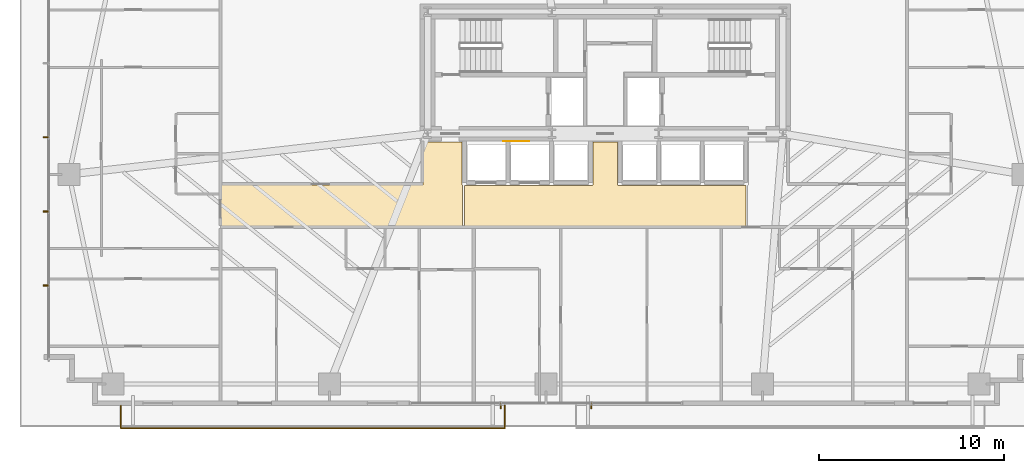
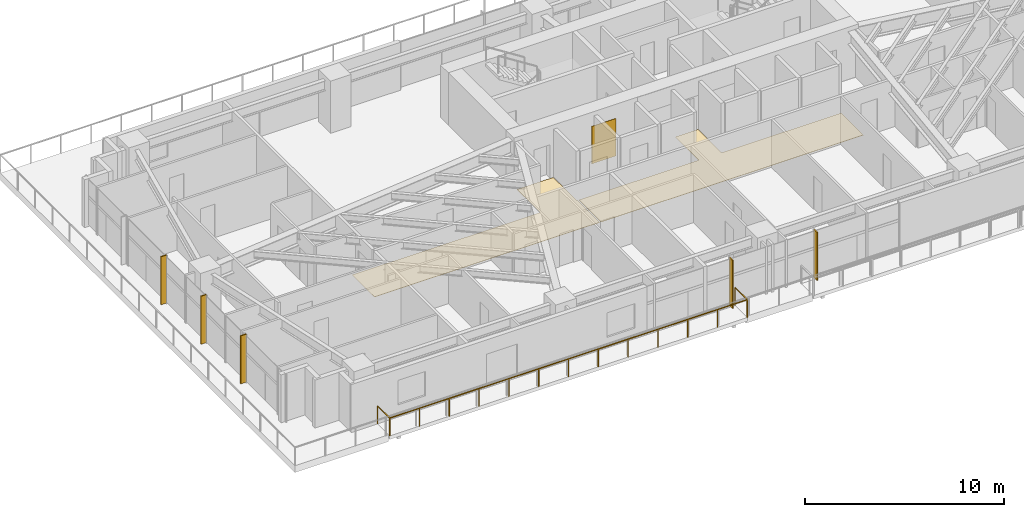
# One storey, part 23 of 26: 5 shading devices, 3 coverings, 1 railing.
"""IFC4 building model written with IfcOpenShell, lengths in metres."""

from ifc_helpers import new_model, si_unit, direction, frame, origin, origin_2d, place, context, subcontext, project, spatial, polyline, rectangle, outline, extrude, source, transform, mapped, material, layer, layer_set, type_object, type_shapes, element, save


model = new_model("IFC4")

# Units and contexts
model_context = context("Model", 3, precision=1e-05, world=origin(), true_north=direction((0.0, 1.0)))
body_context = subcontext(model_context, "Body", "Model", "MODEL_VIEW")
ifc_project = project(units=[si_unit("LENGTHUNIT", "METRE"), si_unit("AREAUNIT", "SQUARE_METRE"), si_unit("VOLUMEUNIT", "CUBIC_METRE"), si_unit("PLANEANGLEUNIT", "RADIAN"), si_unit("MASSUNIT", "GRAM", prefix="KILO")], contexts=[model_context])

# Site, building, storey
site_placement = place(None, origin())
site = spatial("IfcSite", under=ifc_project, at=site_placement, CompositionType="ELEMENT")
building_placement = place(site_placement, origin())
building = spatial("IfcBuilding", under=site, at=building_placement, Name="Astriad Promenade Condominiums", CompositionType="ELEMENT")
storey_placement = place(building_placement, frame((0.0, 0.0, 23.0)))
storey = spatial("IfcBuildingStorey", under=building, at=storey_placement, Name="L05", CompositionType="ELEMENT", Elevation=23.0)

# Coverings
ifc_material_1 = material(Name="Polished Lakefront Terrazzo Flooring")
ifc_layer_1 = layer(ifc_material_1, 0.02001953125)
ifc_layer_set_1 = layer_set([ifc_layer_1], Name="Polished Lakefront Terrazzo Flooring")
covering_type_1 = type_object("IfcCoveringType", Name="COV-FLOR-TERRAZZO-20", PredefinedType="FLOORING", material=ifc_layer_set_1)
covering_1_placement = place(storey_placement, origin())
element("IfcCovering", 1, at=covering_1_placement, inside=storey, type_object=covering_type_1, Name="FLR-L05-LLB", PredefinedType="FLOORING", context=body_context, shape_type="SweptSolid", body=[
    extrude(outline(polyline([(43.610107421875, 14.610107421875), (43.610107421875, 12.389892578125), (28.389892578125, 12.389892578125), (28.389892578125, 14.610107421875), (35.300048828125, 14.610107421875), (35.303955078125, 14.610107421875), (35.307861328125, 14.61083984375), (35.3115234375, 14.61181640625), (35.315185546875, 14.613037109375), (35.31884765625, 14.61474609375), (35.322265625, 14.61669921875), (35.325439453125, 14.619140625), (35.328369140625, 14.62158203125), (35.330810546875, 14.62451171875), (35.333251953125, 14.627685546875), (35.335205078125, 14.631103515625), (35.3369140625, 14.634765625), (35.33837890625, 14.638427734375), (35.339111328125, 14.64208984375), (35.33984375, 14.64599609375), (35.340087890625, 14.64990234375), (35.340087890625, 16.9599609375), (36.659912109375, 16.9599609375), (36.659912109375, 14.64990234375), (36.66015625, 14.64599609375), (36.660888671875, 14.64208984375), (36.66162109375, 14.638427734375), (36.6630859375, 14.634765625), (36.664794921875, 14.631103515625), (36.666748046875, 14.627685546875), (36.669189453125, 14.62451171875), (36.671630859375, 14.62158203125), (36.674560546875, 14.619140625), (36.677734375, 14.61669921875), (36.68115234375, 14.61474609375), (36.684814453125, 14.613037109375), (36.6884765625, 14.61181640625), (36.692138671875, 14.61083984375), (36.696044921875, 14.610107421875), (36.699951171875, 14.610107421875), (43.610107421875, 14.610107421875)])), origin(), (0.0, 0.0, 1.0), 0.02001953125),
])
covering_2_placement = place(storey_placement, origin())
element("IfcCovering", 2, at=covering_2_placement, inside=storey, type_object=covering_type_1, Name="FLR-L05-COR-2", PredefinedType="FLOORING", context=body_context, shape_type="SweptSolid", body=[
    extrude(outline(polyline([(28.300048828125, 12.389892578125), (15.239990234375, 12.389892578125), (15.239990234375, 14.6201171875), (26.1201171875, 14.6201171875), (26.123779296875, 14.6201171875), (26.127685546875, 14.620849609375), (26.131591796875, 14.62158203125), (26.13525390625, 14.623046875), (26.138916015625, 14.624755859375), (26.14208984375, 14.626708984375), (26.1455078125, 14.629150390625), (26.148193359375, 14.631591796875), (26.15087890625, 14.634521484375), (26.1533203125, 14.6376953125), (26.1552734375, 14.64111328125), (26.156982421875, 14.644775390625), (26.158203125, 14.6484375), (26.1591796875, 14.652099609375), (26.159912109375, 14.656005859375), (26.159912109375, 14.659912109375), (26.159912109375, 16.9599609375), (28.260009765625, 16.9599609375), (28.260009765625, 14.64990234375), (28.26025390625, 14.64599609375), (28.2607421875, 14.64208984375), (28.26171875, 14.638427734375), (28.262939453125, 14.634765625), (28.2646484375, 14.631103515625), (28.2666015625, 14.627685546875), (28.26904296875, 14.62451171875), (28.271728515625, 14.62158203125), (28.274658203125, 14.619140625), (28.27783203125, 14.61669921875), (28.281005859375, 14.61474609375), (28.28466796875, 14.613037109375), (28.288330078125, 14.61181640625), (28.292236328125, 14.61083984375), (28.296142578125, 14.610107421875), (28.300048828125, 14.610107421875), (28.300048828125, 12.389892578125)])), origin(), (0.0, 0.0, 1.0), 0.02001953125),
])

# Shading devices
ifc_material_2 = material(Name="Anodised aluminium 6063-T6 Black Fin", Category="aluminium")
shading_device_type = type_object("IfcShadingDeviceType", Name="FIN-BLACK-320", PredefinedType="USERDEFINED", material=ifc_material_2)
shared_shape_1 = source(origin(), body_context, "Body", "SweptSolid", [
    extrude(rectangle(XDim=0.06494140625, YDim=0.320068359375, at=origin_2d()), origin(), (0.0, 0.0, 1.0), 2.93994140625),
])
type_shapes(shading_device_type, [shared_shape_1])
for number, where, z_axis, x_axis, name in (
    (3, (5.7900390625, 9.199951171875, 0.0), (0.0, 0.0, 1.0), (0.0, 1.0, 0.0), "CW-L05-W-FIN-01"),
    (4, (5.7900390625, 13.199951171875, 0.0), (0.0, 0.0, 1.0), (0.0, 1.0, 0.0), "CW-L05-W-FIN-02"),
    (5, (5.7900390625, 17.199951171875, 0.0), (0.0, 0.0, 1.0), (0.0, 1.0, 0.0), "CW-L05-W-FIN-03"),
    (6, (35.25, 2.68994140625, 0.0), (0.0, 0.0, 1.0), (-1.0, 0.0, 0.0), "CW-L05-S-FIN-01"),
    (7, (30.35009765625, 2.68994140625, 0.0), (0.0, 0.0, 1.0), (-1.0, 0.0, 0.0), "CW-L05-S-FIN-02"),
):
    element("IfcShadingDevice", number, at=place(storey_placement, frame(where, z_axis=z_axis, x_axis=x_axis)), inside=storey, type_object=shading_device_type, Name=name, ObjectType="FIN", PredefinedType="USERDEFINED", context=body_context, shape_type="MappedRepresentation", body=[
        mapped(shared_shape_1, transform((0.0, 0.0, 0.0), scale=1.0)),
    ])

# Railing
ifc_material_3 = material(Name="Laminated Glass and Stainless Steel Balustrade", Category="steel")
railing_type = type_object("IfcRailingType", Name="GRD-BALC-1120", PredefinedType="BALUSTRADE", material=ifc_material_3)
shared_shape_2 = source(origin(), body_context, "Body", "SweptSolid", [
    extrude(rectangle(XDim=0.048095703125, YDim=0.048095703125, at=origin_2d()), frame((0.0, 0.0, 1.09619140625), z_axis=(0.0, -1.0, 0.0), x_axis=(1.0, 0.0, 0.0)), (0.0, 0.0, 1.0), 1.219970703125),
    extrude(rectangle(XDim=0.048095703125, YDim=0.048095703125, at=origin_2d()), frame((0.0, -1.219970703125, 1.09619140625), z_axis=(1.0, 0.0, 0.0), x_axis=(0.0, 1.0, 0.0)), (0.0, 0.0, 1.0), 20.7451171875),
    extrude(rectangle(XDim=0.048095703125, YDim=0.048095703125, at=origin_2d()), frame((20.7451171875, -1.219970703125, 1.09619140625), z_axis=(0.0, 1.0, 0.0), x_axis=(-1.0, 0.0, 0.0)), (0.0, 0.0, 1.0), 1.219970703125),
    extrude(rectangle(XDim=0.0419921875, YDim=0.0419921875, at=origin_2d()), origin(), (0.0, 0.0, 1.0), 1.072021484375),
    extrude(rectangle(XDim=0.0419921875, YDim=0.0419921875, at=origin_2d()), frame((0.0, -1.219970703125, 0.0)), (0.0, 0.0, 1.0), 1.072021484375),
    extrude(rectangle(XDim=0.0419921875, YDim=0.0419921875, at=origin_2d()), frame((1.728759765625, -1.219970703125, 0.0)), (0.0, 0.0, 1.0), 1.072021484375),
    extrude(rectangle(XDim=0.0419921875, YDim=0.0419921875, at=origin_2d()), frame((3.45751953125, -1.219970703125, 0.0)), (0.0, 0.0, 1.0), 1.072021484375),
    extrude(rectangle(XDim=0.0419921875, YDim=0.0419921875, at=origin_2d()), frame((5.186279296875, -1.219970703125, 0.0)), (0.0, 0.0, 1.0), 1.072021484375),
    extrude(rectangle(XDim=0.0419921875, YDim=0.0419921875, at=origin_2d()), frame((6.9150390625, -1.219970703125, 0.0)), (0.0, 0.0, 1.0), 1.072021484375),
    extrude(rectangle(XDim=0.0419921875, YDim=0.0419921875, at=origin_2d()), frame((8.643798828125, -1.219970703125, 0.0)), (0.0, 0.0, 1.0), 1.072021484375),
    extrude(rectangle(XDim=0.0419921875, YDim=0.0419921875, at=origin_2d()), frame((10.37255859375, -1.219970703125, 0.0)), (0.0, 0.0, 1.0), 1.072021484375),
    extrude(rectangle(XDim=0.0419921875, YDim=0.0419921875, at=origin_2d()), frame((12.101318359375, -1.219970703125, 0.0)), (0.0, 0.0, 1.0), 1.072021484375),
    extrude(rectangle(XDim=0.0419921875, YDim=0.0419921875, at=origin_2d()), frame((13.830078125, -1.219970703125, 0.0)), (0.0, 0.0, 1.0), 1.072021484375),
    extrude(rectangle(XDim=0.0419921875, YDim=0.0419921875, at=origin_2d()), frame((15.558837890625, -1.219970703125, 0.0)), (0.0, 0.0, 1.0), 1.072021484375),
    extrude(rectangle(XDim=0.0419921875, YDim=0.0419921875, at=origin_2d()), frame((17.28759765625, -1.219970703125, 0.0)), (0.0, 0.0, 1.0), 1.072021484375),
    extrude(rectangle(XDim=0.0419921875, YDim=0.0419921875, at=origin_2d()), frame((19.016357421875, -1.219970703125, 0.0)), (0.0, 0.0, 1.0), 1.072021484375),
    extrude(rectangle(XDim=0.0419921875, YDim=0.0419921875, at=origin_2d()), frame((20.7451171875, -1.219970703125, 0.0)), (0.0, 0.0, 1.0), 1.072021484375),
    extrude(rectangle(XDim=0.0419921875, YDim=0.0419921875, at=origin_2d()), frame((20.7451171875, 0.0, 0.0)), (0.0, 0.0, 1.0), 1.072021484375),
])
type_shapes(railing_type, [shared_shape_2])
railing_placement = place(storey_placement, frame((9.827880859375, 2.699951171875, 0.0)))
element("IfcRailing", 8, at=railing_placement, inside=storey, type_object=railing_type, Name="GRD-BALC-L05-SW", PredefinedType="BALUSTRADE", context=body_context, shape_type="MappedRepresentation", body=[
    mapped(shared_shape_2, transform((0.0, 0.0, 0.0), scale=1.0)),
])

# Covering
ifc_material_4 = material(Name="Fire-Retardant Acoustic Oak Wall Cladding")
ifc_layer_2 = layer(ifc_material_4, 0.02490234375)
ifc_layer_set_2 = layer_set([ifc_layer_2], Name="Fire-Retardant Acoustic Oak Wall Cladding")
covering_type_2 = type_object("IfcCoveringType", Name="COV-CLAD-TIMBER-25", PredefinedType="CLADDING", material=ifc_layer_set_2)
shared_shape_3 = source(origin(), body_context, "Body", "SweptSolid", [
    extrude(rectangle(XDim=1.39990234375, YDim=0.02490234375, at=origin_2d()), origin(), (0.0, 0.0, 1.0), 2.300048828125),
])
type_shapes(covering_type_2, [shared_shape_3])
covering_3_placement = place(storey_placement, frame((31.199951171875, 16.991455078125, 0.0498046875), z_axis=(0.0, 0.0, 1.0), x_axis=(1.0, 0.0, 0.0)))
element("IfcCovering", 9, at=covering_3_placement, inside=storey, type_object=covering_type_2, Name="CLAD-LOB-L05", PredefinedType="CLADDING", context=body_context, shape_type="MappedRepresentation", body=[
    mapped(shared_shape_3, transform((0.0, 0.0, 0.0), scale=1.0)),
])

save(model, "model.ifc")
